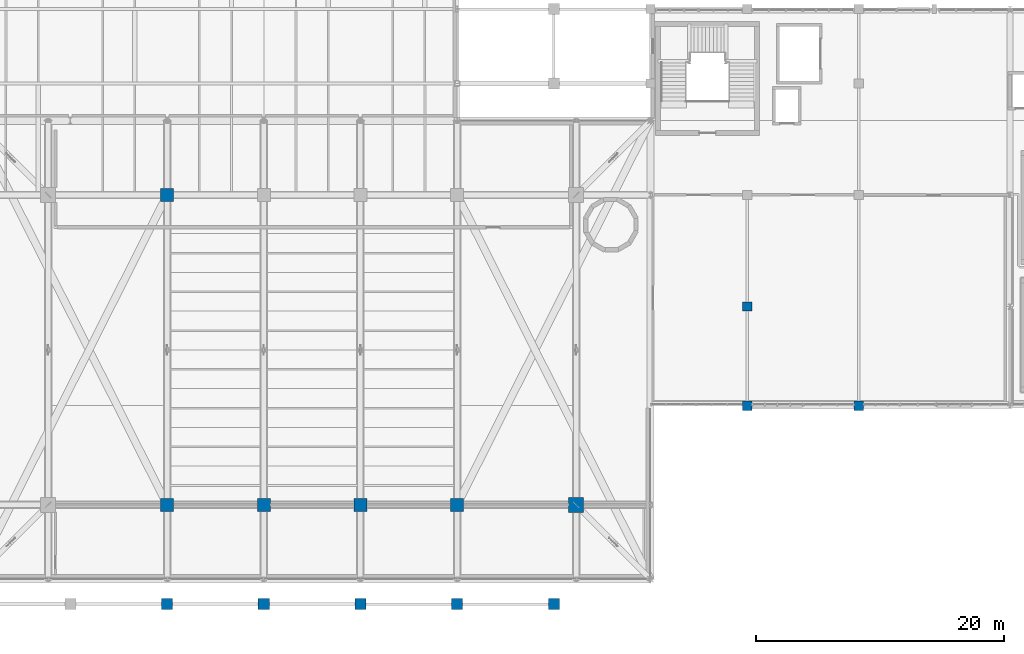
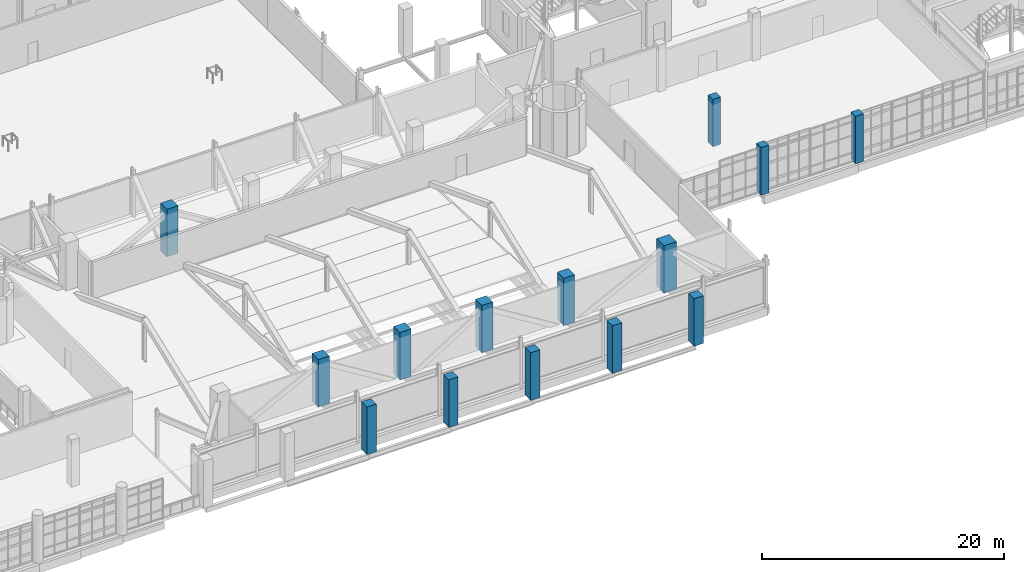
# One storey, part 6 of 127: 14 columns.
"""IFC4 building model written with IfcOpenShell, lengths in metres."""

import ifcopenshell
import ifcopenshell.guid

model = None  # the IFC model being written
_history = None  # IfcOwnerHistory: only IFC2X3 demands one
_inside = {}  # id of a spatial element -> (the spatial element, [elements in it])
_under = {}  # id of a project, library or spatial element -> (it, [spatial elements below it])
_declared = {}  # id of a project -> (the project, [libraries it declares])
_typed = {}  # id of a type object -> (the type object, [elements of that type])
_made_of = {}  # id of a material, layer set ... -> (it, [elements and type objects made of it])


def new_model(schema):
    """Start an empty IFC model of exactly this schema.

    Asked for "IFC4X3", IfcOpenShell would pick the latest addendum, in which some entities
    have other attributes; the version numbers below select the first issue.
    IFC2X3 requires an IfcOwnerHistory on every rooted entity: one is made here for all.
    """
    global model, _history
    if schema == "IFC4X3":
        model = ifcopenshell.file(schema_version=(4, 3, 0, 0))
    else:
        model = ifcopenshell.file(schema=schema)
    _inside.clear()
    _under.clear()
    _declared.clear()
    _typed.clear()
    _made_of.clear()
    _history = None
    if model.schema == "IFC2X3":
        org = make("IfcOrganization", Name="unknown")
        user = make(
            "IfcPersonAndOrganization",
            ThePerson=make("IfcPerson", FamilyName="unknown"),
            TheOrganization=org,
        )
        app = make(
            "IfcApplication",
            ApplicationDeveloper=org,
            Version="unknown",
            ApplicationFullName="unknown",
            ApplicationIdentifier="unknown",
        )
        _history = make(
            "IfcOwnerHistory",
            OwningUser=user,
            OwningApplication=app,
            ChangeAction="ADDED",
            CreationDate=0,
        )
    return model


def make(cls, **values):
    """One entity of the class cls with the attributes given. An attribute that is None is left unset."""
    return model.create_entity(
        cls, **{name: value for name, value in values.items() if value is not None}
    )


def rooted(cls, **values):
    """An entity with a GlobalId (a new one), such as an element, a storey or a relation."""
    return make(cls, GlobalId=ifcopenshell.guid.new(), OwnerHistory=_history, **values)


def si_unit(unit_type, name, prefix=None):
    """IfcSIUnit, for example si_unit("LENGTHUNIT", "METRE", prefix="MILLI")."""
    return make("IfcSIUnit", UnitType=unit_type, Prefix=prefix, Name=name)


def derived_unit(unit_type, elements):
    """IfcDerivedUnit: a product of units, each with its exponent."""
    return make(
        "IfcDerivedUnit",
        Elements=[
            make("IfcDerivedUnitElement", Unit=unit, Exponent=power)
            for unit, power in elements
        ],
        UnitType=unit_type,
    )


def assignment(units):
    """IfcUnitAssignment: the units of a project."""
    return None if units is None else make("IfcUnitAssignment", Units=units)


def point(xyz):
    """IfcCartesianPoint."""
    return None if xyz is None else make("IfcCartesianPoint", Coordinates=xyz)


def direction(xyz):
    """IfcDirection."""
    return None if xyz is None else make("IfcDirection", DirectionRatios=xyz)


def frame(location, z_axis=None, x_axis=None):
    """IfcAxis2Placement3D, a coordinate frame: its origin and axes. An axis left out is left unset."""
    return make(
        "IfcAxis2Placement3D",
        Location=point(location),
        Axis=direction(z_axis),
        RefDirection=direction(x_axis),
    )


def frame_2d(location, x_axis=None):
    """IfcAxis2Placement2D, a coordinate frame in the plane: its origin and x axis."""
    return make(
        "IfcAxis2Placement2D", Location=point(location), RefDirection=direction(x_axis)
    )


def origin():
    """The frame at (0, 0, 0) with its axes left unset."""
    return frame((0.0, 0.0, 0.0))


def origin_2d():
    """The frame at (0, 0) in the plane with its x axis left unset."""
    return frame_2d((0.0, 0.0))


def place(relative_to, where):
    """IfcLocalPlacement: puts the frame where relative to a parent placement (None: the world)."""
    return make(
        "IfcLocalPlacement", PlacementRelTo=relative_to, RelativePlacement=where
    )


def context(
    kind, dimensions, precision=None, world=None, true_north=None, identifier=None
):
    """IfcGeometricRepresentationContext, for example the 3D "Model" context."""
    return make(
        "IfcGeometricRepresentationContext",
        ContextIdentifier=identifier,
        ContextType=kind,
        CoordinateSpaceDimension=dimensions,
        Precision=precision,
        WorldCoordinateSystem=world,
        TrueNorth=true_north,
    )


def subcontext(parent, identifier, kind, view, scale=None):
    """IfcGeometricRepresentationSubContext, for example "Body" below "Model"."""
    return make(
        "IfcGeometricRepresentationSubContext",
        ContextIdentifier=identifier,
        ContextType=kind,
        ParentContext=parent,
        TargetScale=scale,
        TargetView=view,
    )


def project(units=None, contexts=None):
    """IfcProject with its units and contexts."""
    return rooted(
        "IfcProject",
        Name="project",
        RepresentationContexts=contexts,
        UnitsInContext=assignment(units),
    )


def spatial(cls, under=None, at=None, **own):
    """A site, building, storey or space (cls), placed at a placement, below another one or the project."""
    s = rooted(cls, ObjectPlacement=at, **own)
    if under is not None:
        _under.setdefault(under.id(), (under, []))[1].append(s)
    return s


def profile(cls, at=None, kind="AREA", **sizes):
    """A parametric profile (cls). Its sizes go by their IFC names, for example OverallWidth=200.0."""
    return make(cls, ProfileType=kind, Position=at, **sizes)


def rectangle(**sizes):
    """IfcRectangleProfileDef."""
    return profile("IfcRectangleProfileDef", **sizes)


def extrude(swept, where, along, depth):
    """IfcExtrudedAreaSolid: the profile swept, set in the frame where, extruded along a direction by depth."""
    return make(
        "IfcExtrudedAreaSolid",
        SweptArea=swept,
        Position=where,
        ExtrudedDirection=direction(along),
        Depth=depth,
    )


def shape(context_of_items, identifier, shape_type, items):
    """IfcShapeRepresentation: the items that make up one representation, for example the "Body"."""
    return make(
        "IfcShapeRepresentation",
        ContextOfItems=context_of_items,
        RepresentationIdentifier=identifier,
        RepresentationType=shape_type,
        Items=items,
    )


def material(Name=None, Category=None):
    """IfcMaterial."""
    return make("IfcMaterial", Name=Name, Category=Category)


def material_profile(
    of_material, cross_section, Name=None, Category=None, Priority=None
):
    """IfcMaterialProfile: a cross section and its material."""
    return make(
        "IfcMaterialProfile",
        Name=Name,
        Material=of_material,
        Profile=cross_section,
        Priority=Priority,
        Category=Category,
    )


def profile_set(profiles, Name=None, composite=None):
    """IfcMaterialProfileSet."""
    return make(
        "IfcMaterialProfileSet",
        Name=Name,
        MaterialProfiles=profiles,
        CompositeProfile=composite,
    )


def made_of(thing, what):
    """Note that an element or type object is made of a material, layer set ...; save() writes the relation."""
    if what is not None:
        _made_of.setdefault(what.id(), (what, []))[1].append(thing)
    return thing


def type_object(cls, material=None, **own):
    """A type object (cls), such as IfcWallType, which elements share."""
    return made_of(rooted(cls, **own), material)


def element(
    cls,
    number,
    at=None,
    inside=None,
    cuts=None,
    type_object=None,
    material=None,
    context=None,
    identifier="Body",
    shape_type=None,
    held_by="IfcProductDefinitionShape",
    body=None,
    shapes=None,
    **own,
):
    """One element of the class cls, such as IfcWall. Its Tag is "e" and its number.

    at: its placement. inside: the storey or other place that contains it. cuts: it is an
    opening in that element (IfcRelVoidsElement). A single representation is given by context,
    identifier, shape_type and body (its items); several are given by shapes. held_by: the class
    of the entity that holds the representations. save() writes the other relations.
    """
    e = rooted(cls, Tag="e%d" % number, ObjectPlacement=at, **own)
    if body is not None:
        shapes = [shape(context, identifier, shape_type, body)]
    if shapes is not None:
        e.Representation = make(held_by, Representations=shapes)
    if inside is not None:
        _inside.setdefault(inside.id(), (inside, []))[1].append(e)
    if cuts is not None:
        rooted(
            "IfcRelVoidsElement", RelatingBuildingElement=cuts, RelatedOpeningElement=e
        )
    if type_object is not None:
        _typed.setdefault(type_object.id(), (type_object, []))[1].append(e)
    return made_of(e, material)


def aggregate(whole, parts):
    """IfcRelAggregates: a whole, such as a stair, and the parts it consists of."""
    return rooted("IfcRelAggregates", RelatingObject=whole, RelatedObjects=parts)


def save(model, path):
    """Write the relations noted so far, then the file.

    IfcRelAggregates (storeys below a building ...), IfcRelContainedInSpatialStructure (elements
    in a storey), IfcRelDefinesByType, IfcRelAssociatesMaterial and IfcRelDeclares: one each for
    every whole, place, type object, material and project.
    """
    for whole, parts in _under.values():
        aggregate(whole, parts)
    for where, things in _inside.values():
        rooted(
            "IfcRelContainedInSpatialStructure",
            RelatedElements=things,
            RelatingStructure=where,
        )
    for kind, things in _typed.values():
        rooted("IfcRelDefinesByType", RelatedObjects=things, RelatingType=kind)
    for what, things in _made_of.values():
        rooted("IfcRelAssociatesMaterial", RelatedObjects=things, RelatingMaterial=what)
    for by, libraries in _declared.values():
        rooted("IfcRelDeclares", RelatingContext=by, RelatedDefinitions=libraries)
    model.write(path)


model = new_model("IFC4")

# Units and contexts
model_context = context("Model", 3, precision=1e-05, world=origin(), true_north=direction((0.0, 1.0)))
body_context = subcontext(model_context, "Body", "Model", "MODEL_VIEW")
ifc_project = project(units=[si_unit("LENGTHUNIT", "METRE"), si_unit("AREAUNIT", "SQUARE_METRE"), si_unit("VOLUMEUNIT", "CUBIC_METRE"), si_unit("PLANEANGLEUNIT", "RADIAN"), si_unit("MASSUNIT", "GRAM", prefix="KILO"), derived_unit("THERMALTRANSMITTANCEUNIT", [(si_unit("POWERUNIT", "WATT"), 1), (si_unit("LENGTHUNIT", "METRE"), -2), (si_unit("THERMODYNAMICTEMPERATUREUNIT", "KELVIN"), -1)])], contexts=[model_context])

# Site, building, storey
site_placement = place(None, origin())
site = spatial("IfcSite", under=ifc_project, at=site_placement, CompositionType="ELEMENT")
building_placement = place(site_placement, origin())
building = spatial("IfcBuilding", under=site, at=building_placement, Name="Nallur Shell Playhouse", CompositionType="ELEMENT")
storey_placement = place(building_placement, frame((0.0, 0.0, 5.39990234375)))
storey = spatial("IfcBuildingStorey", under=building, at=storey_placement, Name="L02", CompositionType="ELEMENT", Elevation=5.39990234375)

# Columns
ifc_material_1 = material(Name="Concrete M45", Category="concrete")
ifc_material_profile_1 = material_profile(ifc_material_1, rectangle(XDim=1.050048828125, YDim=1.050048828125, at=origin_2d()), Name="RC 1050x1050")
ifc_profile_set_1 = profile_set([ifc_material_profile_1], Name="Concrete M45")
column_type_1 = type_object("IfcColumnType", Name="CL-RC-1050", PredefinedType="COLUMN", material=ifc_profile_set_1)
for number, where, z_axis, x_axis, name in (
    (1, (79.60009765625, 16.0, 0.0), (0.0, 0.0, 1.0), (1.0, 0.0, 0.0), "Column MC2S (L02)"),
    (2, (79.60009765625, 41.0, 0.0), (0.0, 0.0, 1.0), (1.0, 0.0, 0.0), "Column MC2N (L02)"),
    (3, (87.39990234375, 16.0, 0.0), (0.0, 0.0, 1.0), (1.0, 0.0, 0.0), "Column MC3S (L02)"),
    (4, (95.199951171875, 16.0, 0.0), (0.0, 0.0, 1.0), (1.0, 0.0, 0.0), "Column MC4S (L02)"),
    (5, (103.0, 16.0, 0.0), (0.0, 0.0, 1.0), (1.0, 0.0, 0.0), "Column MC5S (L02)"),
):
    element("IfcColumn", number, at=place(storey_placement, frame(where, z_axis=z_axis, x_axis=x_axis)), inside=storey, type_object=column_type_1, Name=name, PredefinedType="COLUMN", context=body_context, shape_type="SweptSolid", body=[
        extrude(rectangle(XDim=1.050048828125, YDim=1.050048828125, at=origin_2d()), origin(), (0.0, 0.0, 1.0), 4.800048828125),
    ])
ifc_material_profile_2 = material_profile(ifc_material_1, rectangle(XDim=1.199951171875, YDim=1.199951171875, at=origin_2d()), Name="RC 1200x1200")
ifc_profile_set_2 = profile_set([ifc_material_profile_2], Name="Concrete M45")
column_type_2 = type_object("IfcColumnType", Name="CL-RC-1200", PredefinedType="COLUMN", material=ifc_profile_set_2)
column_placement = place(storey_placement, frame((112.60009765625, 16.0, 0.0), z_axis=(0.0, 0.0, 1.0), x_axis=(1.0, 0.0, 0.0)))
element("IfcColumn", 6, at=column_placement, inside=storey, type_object=column_type_2, Name="Column MC6S (L02)", PredefinedType="COLUMN", context=body_context, shape_type="SweptSolid", body=[
    extrude(rectangle(XDim=1.199951171875, YDim=1.199951171875, at=origin_2d()), origin(), (0.0, 0.0, 1.0), 4.800048828125),
])
ifc_material_2 = material(Name="Concrete M40", Category="concrete")
ifc_material_profile_3 = material_profile(ifc_material_2, rectangle(XDim=0.75, YDim=0.75, at=origin_2d()), Name="RC 750x750")
ifc_profile_set_3 = profile_set([ifc_material_profile_3], Name="Concrete M40")
column_type_3 = type_object("IfcColumnType", Name="CL-RC-750", PredefinedType="COLUMN", material=ifc_profile_set_3)
for number, where, z_axis, x_axis, name in (
    (7, (126.39990234375, 24.0, 0.0), (0.0, 0.0, 1.0), (1.0, 0.0, 0.0), "Column 16-C (L02)"),
    (8, (126.39990234375, 32.0, 0.0), (0.0, 0.0, 1.0), (1.0, 0.0, 0.0), "Column 16-D (L02)"),
    (9, (135.39990234375, 24.0, 0.0), (0.0, 0.0, 1.0), (1.0, 0.0, 0.0), "Column 17-C (L02)"),
):
    element("IfcColumn", number, at=place(storey_placement, frame(where, z_axis=z_axis, x_axis=x_axis)), inside=storey, type_object=column_type_3, Name=name, PredefinedType="COLUMN", context=body_context, shape_type="SweptSolid", body=[
        extrude(rectangle(XDim=0.75, YDim=0.75, at=origin_2d()), origin(), (0.0, 0.0, 1.0), 4.800048828125),
    ])
ifc_material_profile_4 = material_profile(ifc_material_2, rectangle(XDim=0.89990234375, YDim=0.89990234375, at=origin_2d()), Name="RC 900x900")
ifc_profile_set_4 = profile_set([ifc_material_profile_4], Name="Concrete M40")
column_type_4 = type_object("IfcColumnType", Name="CL-RC-900", PredefinedType="COLUMN", material=ifc_profile_set_4)
for number, where, z_axis, x_axis, name in (
    (10, (79.60009765625, 8.0, 0.0), (0.0, 0.0, 1.0), (1.0, 0.0, 0.0), "Column 10-A (L02)"),
    (11, (87.39990234375, 8.0, 0.0), (0.0, 0.0, 1.0), (1.0, 0.0, 0.0), "Column 11-A (L02)"),
    (12, (95.199951171875, 8.0, 0.0), (0.0, 0.0, 1.0), (1.0, 0.0, 0.0), "Column 12-A (L02)"),
    (13, (103.0, 8.0, 0.0), (0.0, 0.0, 1.0), (1.0, 0.0, 0.0), "Column 13-A (L02)"),
    (14, (110.800048828125, 8.0, 0.0), (0.0, 0.0, 1.0), (1.0, 0.0, 0.0), "Column 14-A (L02)"),
):
    element("IfcColumn", number, at=place(storey_placement, frame(where, z_axis=z_axis, x_axis=x_axis)), inside=storey, type_object=column_type_4, Name=name, PredefinedType="COLUMN", context=body_context, shape_type="SweptSolid", body=[
        extrude(rectangle(XDim=0.89990234375, YDim=0.89990234375, at=origin_2d()), origin(), (0.0, 0.0, 1.0), 4.800048828125),
    ])

save(model, "model.ifc")
